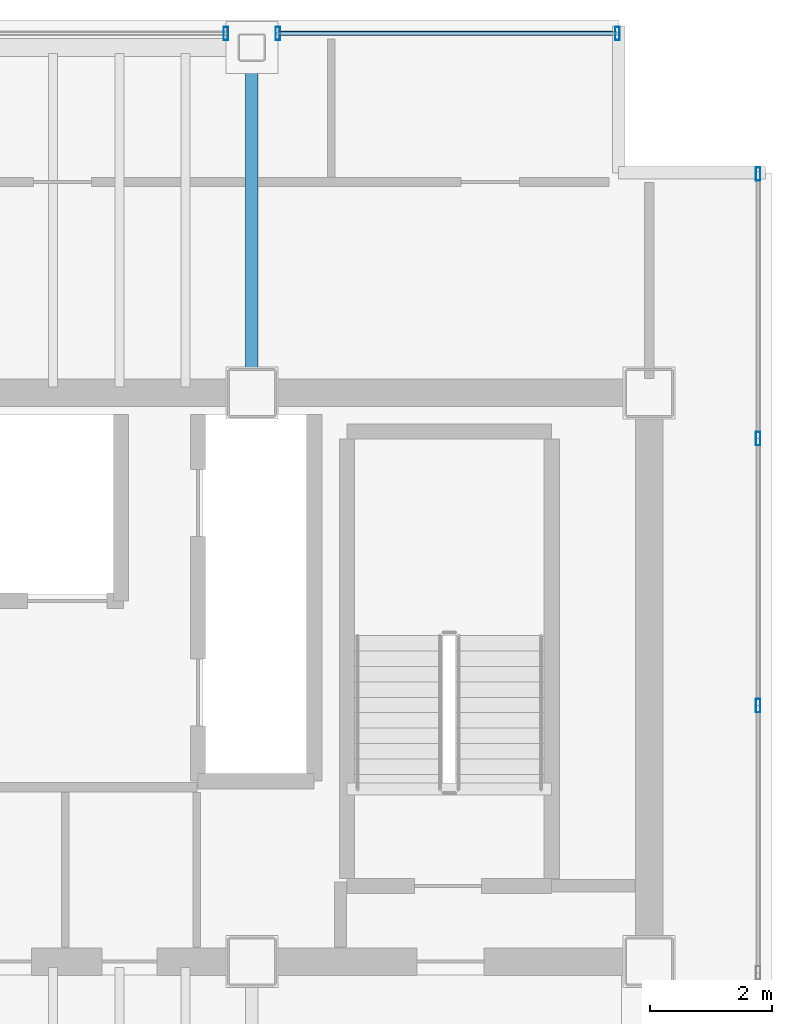
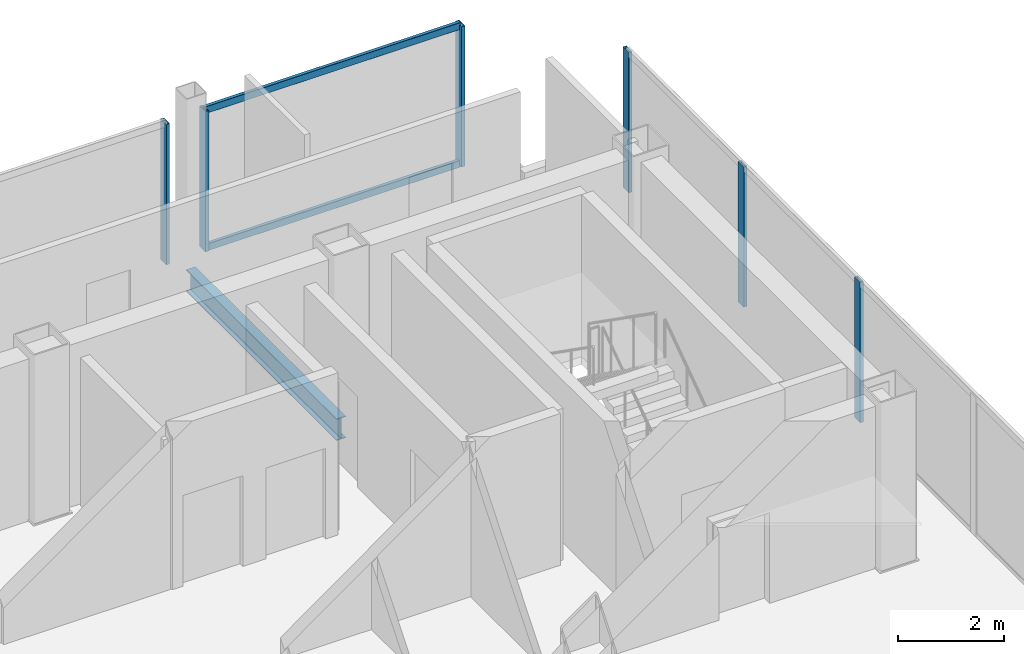
# One storey, part 13 of 17: 8 members, 1 beam, 3 elements without a shape of their own.
"""IFC4 building model written with IfcOpenShell, lengths in metres."""

from ifc_helpers import new_model, si_unit, direction, frame, origin, origin_2d, place, context, subcontext, project, spatial, hollow_rectangle, i_section, extrude, material, material_profile, profile_set, type_object, element, aggregate, save


model = new_model("IFC4")

# Units and contexts
model_context = context("Model", 3, precision=1e-05, world=origin(), true_north=direction((0.0, 1.0)))
body_context = subcontext(model_context, "Body", "Model", "MODEL_VIEW")
ifc_project = project(units=[si_unit("LENGTHUNIT", "METRE"), si_unit("AREAUNIT", "SQUARE_METRE"), si_unit("VOLUMEUNIT", "CUBIC_METRE"), si_unit("PLANEANGLEUNIT", "RADIAN"), si_unit("MASSUNIT", "GRAM", prefix="KILO")], contexts=[model_context])

# Site, building, storey
site_placement = place(None, origin())
site = spatial("IfcSite", under=ifc_project, at=site_placement, CompositionType="ELEMENT")
building_placement = place(site_placement, origin())
building = spatial("IfcBuilding", under=site, at=building_placement, Name="Noeulbin Bourse Tower", CompositionType="ELEMENT")
storey_placement = place(building_placement, frame((0.0, 0.0, 261.800048828125)))
storey = spatial("IfcBuildingStorey", under=building, at=storey_placement, Name="L65", CompositionType="ELEMENT", Elevation=261.800048828125)

# Beam
ifc_material_1 = material(Name="Steel S355", Category="steel")
ifc_material_profile_1 = material_profile(ifc_material_1, i_section(OverallWidth=0.199951171875, OverallDepth=0.5, WebThickness=0.010009765625, FlangeThickness=0.01611328125, FilletRadius=0.02001953125, at=origin_2d()), Name="H-500x200x10x16", Category="LoadBearing")
ifc_profile_set_1 = profile_set([ifc_material_profile_1], Name="Steel S355")
beam_type = type_object("IfcBeamType", Name="BM-GRD-500", PredefinedType="USERDEFINED", material=ifc_profile_set_1)
beam_placement = place(storey_placement, frame((37.5, 38.300048828125, -0.429931640625), z_axis=(0.0, 1.0, 0.0), x_axis=(-1.0, 0.0, 0.0)))
element("IfcBeam", 1, at=beam_placement, inside=storey, type_object=beam_type, Name="Tower Primary Girder NS L65-4.4", ObjectType="GIRDER", PredefinedType="USERDEFINED", context=body_context, shape_type="SweptSolid", body=[
    extrude(i_section(OverallWidth=0.199951171875, OverallDepth=0.5, WebThickness=0.010009765625, FlangeThickness=0.01611328125, FilletRadius=0.02001953125, at=origin_2d()), origin(), (0.0, 0.0, 1.0), 5.64990234375),
])

# Curtain wall, member
ifc_material_2 = material(Name="High-Selectivity Low-Iron Glazing", Category="glass")
curtain_wall_type = type_object("IfcCurtainWallType", Name="CW-SYS-4", PredefinedType="NOTDEFINED", material=ifc_material_2)
curtain_wall_1_placement = place(storey_placement, origin())
curtain_wall_1 = element("IfcCurtainWall", 2, at=curtain_wall_1_placement, inside=storey, type_object=curtain_wall_type, Name="Unitised Curtain Wall CW-L65-N-S4", PredefinedType="NOTDEFINED")
ifc_material_3 = material(Name="Anodised Aluminium 6063-T6", Category="aluminium")
ifc_material_profile_2 = material_profile(ifc_material_3, hollow_rectangle(XDim=0.074951171875, YDim=0.219970703125, WallThickness=0.0048828125, InnerFilletRadius=0.00244140625, OuterFilletRadius=0.0048828125, at=origin_2d()), Name="ALU-MULL-75x220x5", Category="LoadBearing")
ifc_profile_set_2 = profile_set([ifc_material_profile_2], Name="Anodised Aluminium 6063-T6")
member_type_1 = type_object("IfcMemberType", Name="CW-SYS-4-MUL", PredefinedType="MULLION", material=ifc_profile_set_2)
member_1_placement = place(storey_placement, frame((37.074951171875, 44.179931640625, -0.02001953125), z_axis=(0.0, 0.0, 1.0), x_axis=(1.0, 0.0, 0.0)))
member_1 = element("IfcMember", 3, at=member_1_placement, type_object=member_type_1, Name="Curtain Wall Mullion CW-L65-N-S4-M01", PredefinedType="MULLION", context=body_context, shape_type="SweptSolid", body=[
    extrude(hollow_rectangle(XDim=0.074951171875, YDim=0.219970703125, WallThickness=0.0048828125, InnerFilletRadius=0.00244140625, OuterFilletRadius=0.0048828125, at=origin_2d()), origin(), (0.0, 0.0, 1.0), 3.219970703125),
])
aggregate(curtain_wall_1, [member_1])

# Curtain wall, members
curtain_wall_2_placement = place(storey_placement, origin())
curtain_wall_2 = element("IfcCurtainWall", 4, at=curtain_wall_2_placement, inside=storey, type_object=curtain_wall_type, Name="Unitised Curtain Wall CW-L65-N-S5", PredefinedType="NOTDEFINED")
member_2_placement = place(storey_placement, frame((37.925048828125, 44.179931640625, -0.02001953125), z_axis=(0.0, 0.0, 1.0), x_axis=(1.0, 0.0, 0.0)))
member_2 = element("IfcMember", 5, at=member_2_placement, type_object=member_type_1, Name="Curtain Wall Mullion CW-L65-N-S5-M00", PredefinedType="MULLION", context=body_context, shape_type="SweptSolid", body=[
    extrude(hollow_rectangle(XDim=0.074951171875, YDim=0.219970703125, WallThickness=0.0048828125, InnerFilletRadius=0.00244140625, OuterFilletRadius=0.0048828125, at=origin_2d()), origin(), (0.0, 0.0, 1.0), 3.219970703125),
])
member_3_placement = place(storey_placement, frame((43.47998046875, 44.179931640625, -0.02001953125), z_axis=(0.0, 0.0, 1.0), x_axis=(1.0, 0.0, 0.0)))
member_3 = element("IfcMember", 6, at=member_3_placement, type_object=member_type_1, Name="Curtain Wall Mullion CW-L65-N-S5-M01", PredefinedType="MULLION", context=body_context, shape_type="SweptSolid", body=[
    extrude(hollow_rectangle(XDim=0.074951171875, YDim=0.219970703125, WallThickness=0.0048828125, InnerFilletRadius=0.00244140625, OuterFilletRadius=0.0048828125, at=origin_2d()), origin(), (0.0, 0.0, 1.0), 3.219970703125),
])

curtain_wall_3_placement = place(storey_placement, origin())
curtain_wall_3 = element("IfcCurtainWall", 7, at=curtain_wall_3_placement, inside=storey, type_object=curtain_wall_type, Name="Unitised Curtain Wall CW-L65-E", PredefinedType="NOTDEFINED")
member_4_placement = place(storey_placement, frame((45.780029296875, 33.18408203125, -0.02001953125), z_axis=(0.0, 0.0, 1.0), x_axis=(1.0, 0.0, 0.0)))
member_4 = element("IfcMember", 8, at=member_4_placement, type_object=member_type_1, Name="Curtain Wall Mullion CW-L65-E-M03", PredefinedType="MULLION", context=body_context, shape_type="SweptSolid", body=[
    extrude(hollow_rectangle(XDim=0.074951171875, YDim=0.219970703125, WallThickness=0.0048828125, InnerFilletRadius=0.00244140625, OuterFilletRadius=0.0048828125, at=origin_2d()), origin(), (0.0, 0.0, 1.0), 3.219970703125),
])
member_5_placement = place(storey_placement, frame((45.780029296875, 37.552001953125, -0.02001953125), z_axis=(0.0, 0.0, 1.0), x_axis=(1.0, 0.0, 0.0)))
member_5 = element("IfcMember", 9, at=member_5_placement, type_object=member_type_1, Name="Curtain Wall Mullion CW-L65-E-M04", PredefinedType="MULLION", context=body_context, shape_type="SweptSolid", body=[
    extrude(hollow_rectangle(XDim=0.074951171875, YDim=0.219970703125, WallThickness=0.0048828125, InnerFilletRadius=0.00244140625, OuterFilletRadius=0.0048828125, at=origin_2d()), origin(), (0.0, 0.0, 1.0), 3.219970703125),
])
member_6_placement = place(storey_placement, frame((45.780029296875, 41.8798828125, -0.02001953125), z_axis=(0.0, 0.0, 1.0), x_axis=(1.0, 0.0, 0.0)))
member_6 = element("IfcMember", 10, at=member_6_placement, type_object=member_type_1, Name="Curtain Wall Mullion CW-L65-E-M05", PredefinedType="MULLION", context=body_context, shape_type="SweptSolid", body=[
    extrude(hollow_rectangle(XDim=0.074951171875, YDim=0.219970703125, WallThickness=0.0048828125, InnerFilletRadius=0.00244140625, OuterFilletRadius=0.0048828125, at=origin_2d()), origin(), (0.0, 0.0, 1.0), 3.219970703125),
])
aggregate(curtain_wall_3, [member_4, member_5, member_6])

# Member
ifc_material_profile_3 = material_profile(ifc_material_3, hollow_rectangle(XDim=0.074951171875, YDim=0.159912109375, WallThickness=0.0048828125, InnerFilletRadius=0.00244140625, OuterFilletRadius=0.0048828125, at=origin_2d()), Name="ALU-TRAN-75x160x5", Category="LoadBearing")
ifc_profile_set_3 = profile_set([ifc_material_profile_3], Name="Anodised Aluminium 6063-T6")
member_type_2 = type_object("IfcMemberType", Name="CW-SYS-4-TRN", PredefinedType="USERDEFINED", material=ifc_profile_set_3)
member_7_placement = place(storey_placement, frame((37.93505859375, 44.179931640625, 0.010009765625), z_axis=(1.0, 0.0, 0.0), x_axis=(0.0, 1.0, 0.0)))
member_7 = element("IfcMember", 11, at=member_7_placement, type_object=member_type_2, Name="Curtain Wall Transom CW-L65-N-S5-T00", ObjectType="TRANSOM", PredefinedType="USERDEFINED", context=body_context, shape_type="SweptSolid", body=[
    extrude(hollow_rectangle(XDim=0.074951171875, YDim=0.159912109375, WallThickness=0.0048828125, InnerFilletRadius=0.00244140625, OuterFilletRadius=0.0048828125, at=origin_2d()), origin(), (0.0, 0.0, 1.0), 5.534912109375),
])

member_8_placement = place(storey_placement, frame((37.93505859375, 44.179931640625, 3.169921875), z_axis=(1.0, 0.0, 0.0), x_axis=(0.0, 1.0, 0.0)))
member_8 = element("IfcMember", 12, at=member_8_placement, type_object=member_type_2, Name="Curtain Wall Transom CW-L65-N-S5-T01", ObjectType="TRANSOM", PredefinedType="USERDEFINED", context=body_context, shape_type="SweptSolid", body=[
    extrude(hollow_rectangle(XDim=0.074951171875, YDim=0.159912109375, WallThickness=0.0048828125, InnerFilletRadius=0.00244140625, OuterFilletRadius=0.0048828125, at=origin_2d()), origin(), (0.0, 0.0, 1.0), 5.534912109375),
])

aggregate(curtain_wall_2, [member_2, member_3, member_7, member_8])

save(model, "model.ifc")
